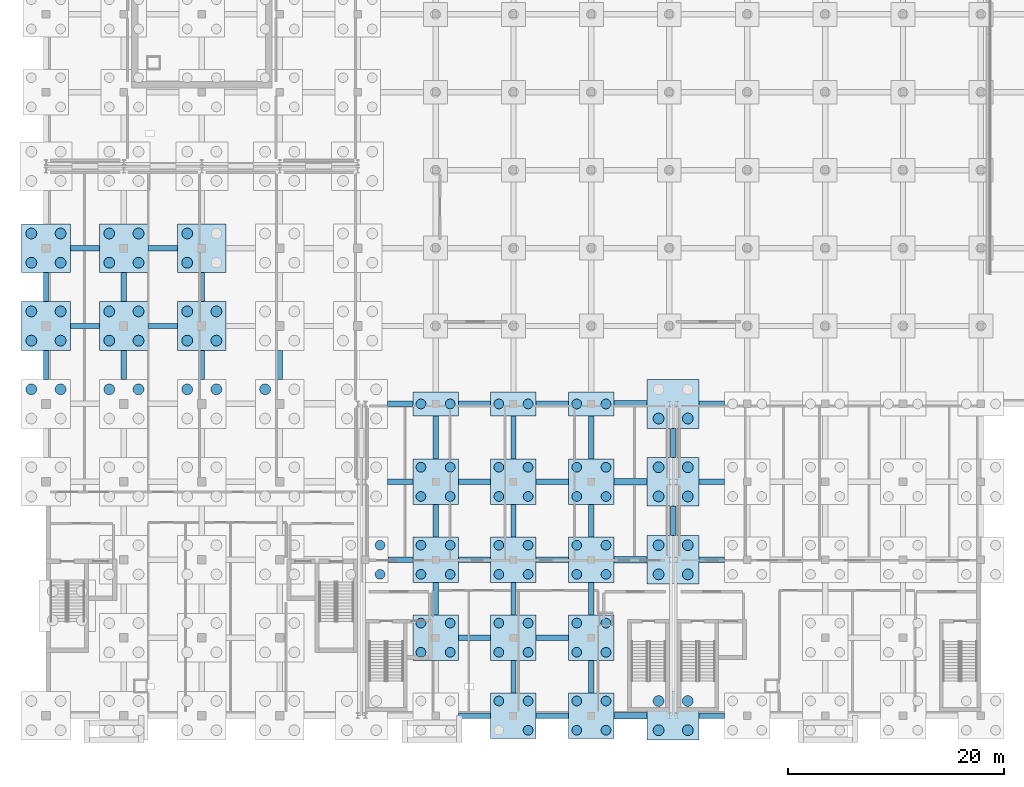
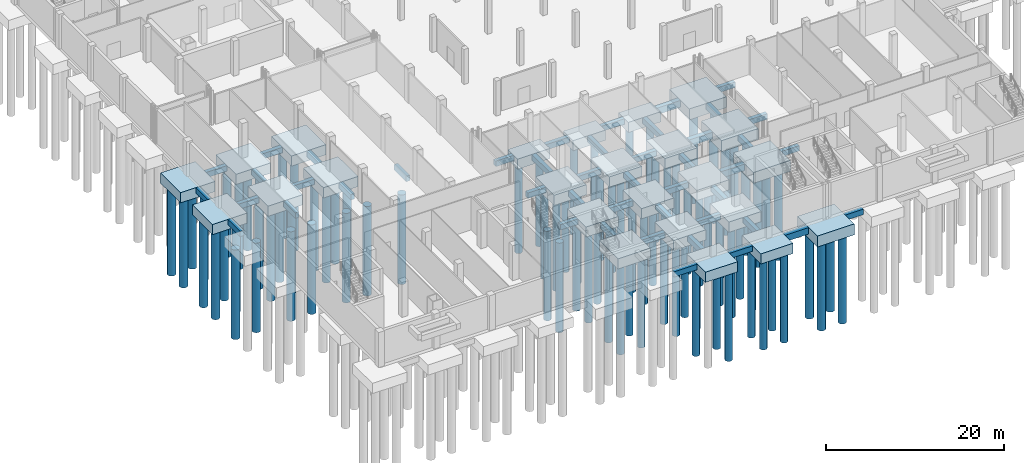
# One storey, part 2 of 35: 94 piles, 69 footings.
"""IFC4 building model written with IfcOpenShell, lengths in metres."""

from ifc_helpers import new_model, si_unit, direction, frame, origin, origin_2d, place, context, subcontext, project, spatial, rectangle, circle, extrude, material, material_profile, profile_set, type_object, element, save


model = new_model("IFC4")

# Units and contexts
model_context = context("Model", 3, precision=1e-05, world=origin(), true_north=direction((0.0, 1.0)))
body_context = subcontext(model_context, "Body", "Model", "MODEL_VIEW")
ifc_project = project(units=[si_unit("LENGTHUNIT", "METRE"), si_unit("AREAUNIT", "SQUARE_METRE"), si_unit("VOLUMEUNIT", "CUBIC_METRE"), si_unit("PLANEANGLEUNIT", "RADIAN"), si_unit("MASSUNIT", "GRAM", prefix="KILO")], contexts=[model_context])

# Site, building, storey
site_placement = place(None, origin())
site = spatial("IfcSite", under=ifc_project, at=site_placement, CompositionType="ELEMENT")
building_placement = place(site_placement, origin())
building = spatial("IfcBuilding", under=site, at=building_placement, Name="Zarrinpeak Specialist Clinic", CompositionType="ELEMENT")
storey_placement = place(building_placement, frame((0.0, 0.0, -4.800048828125)))
storey = spatial("IfcBuildingStorey", under=building, at=storey_placement, Name="B01", CompositionType="ELEMENT", Elevation=-4.800048828125)

# Footings
ifc_material = material(Name="Concrete C40/50", Category="concrete")
ifc_material_profile_1 = material_profile(ifc_material, rectangle(XDim=0.5, YDim=0.75, at=origin_2d()), Name="RC 500x750")
ifc_profile_set_1 = profile_set([ifc_material_profile_1], Name="Concrete C40/50")
footing_type_1 = type_object("IfcFootingType", Name="FT-GB1", PredefinedType="FOOTING_BEAM", material=ifc_profile_set_1)
for number, where, z_axis, x_axis, name in (
    (1, (38.10009765625, 0.0, -0.77490234375), (1.0, 0.0, 0.0), (0.0, 1.0, 0.0), "Continuous Ground Tie Beam GB-006"),
    (2, (45.300048828125, 0.0, -0.77490234375), (1.0, 0.0, 0.0), (0.0, 1.0, 0.0), "Continuous Ground Tie Beam GB-007"),
):
    element("IfcFooting", number, at=place(storey_placement, frame(where, z_axis=z_axis, x_axis=x_axis)), inside=storey, type_object=footing_type_1, Name=name, PredefinedType="FOOTING_BEAM", context=body_context, shape_type="SweptSolid", body=[
        extrude(rectangle(XDim=0.5, YDim=0.75, at=origin_2d()), origin(), (0.0, 0.0, 1.0), 3.0),
    ])
footing_1_placement = place(storey_placement, frame((60.360107421875, 0.0, -0.77490234375), z_axis=(1.0, 0.0, 0.0), x_axis=(0.0, 1.0, 0.0)))
element("IfcFooting", 3, at=footing_1_placement, inside=storey, type_object=footing_type_1, Name="Continuous Ground Tie Beam GB-009", PredefinedType="FOOTING_BEAM", context=body_context, shape_type="SweptSolid", body=[
    extrude(rectangle(XDim=0.5, YDim=0.75, at=origin_2d()), origin(), (0.0, 0.0, 1.0), 2.33984375),
])
for number, where, z_axis, x_axis, name in (
    (4, (38.10009765625, 7.199951171875, -0.77490234375), (1.0, 0.0, 0.0), (0.0, 1.0, 0.0), "Continuous Ground Tie Beam GB-015"),
    (5, (45.300048828125, 7.199951171875, -0.77490234375), (1.0, 0.0, 0.0), (0.0, 1.0, 0.0), "Continuous Ground Tie Beam GB-016"),
):
    element("IfcFooting", number, at=place(storey_placement, frame(where, z_axis=z_axis, x_axis=x_axis)), inside=storey, type_object=footing_type_1, Name=name, PredefinedType="FOOTING_BEAM", context=body_context, shape_type="SweptSolid", body=[
        extrude(rectangle(XDim=0.5, YDim=0.75, at=origin_2d()), origin(), (0.0, 0.0, 1.0), 3.0),
    ])
footing_2_placement = place(storey_placement, frame((31.6201171875, 14.39990234375, -0.77490234375), z_axis=(1.0, 0.0, 0.0), x_axis=(0.0, 1.0, 0.0)))
element("IfcFooting", 6, at=footing_2_placement, inside=storey, type_object=footing_type_1, Name="Continuous Ground Tie Beam GB-021", PredefinedType="FOOTING_BEAM", context=body_context, shape_type="SweptSolid", body=[
    extrude(rectangle(XDim=0.5, YDim=0.75, at=origin_2d()), origin(), (0.0, 0.0, 1.0), 2.27978515625),
])
for number, where, z_axis, x_axis, name in (
    (7, (38.10009765625, 14.39990234375, -0.77490234375), (1.0, 0.0, 0.0), (0.0, 1.0, 0.0), "Continuous Ground Tie Beam GB-022"),
    (8, (45.300048828125, 14.39990234375, -0.77490234375), (1.0, 0.0, 0.0), (0.0, 1.0, 0.0), "Continuous Ground Tie Beam GB-023"),
):
    element("IfcFooting", number, at=place(storey_placement, frame(where, z_axis=z_axis, x_axis=x_axis)), inside=storey, type_object=footing_type_1, Name=name, PredefinedType="FOOTING_BEAM", context=body_context, shape_type="SweptSolid", body=[
        extrude(rectangle(XDim=0.5, YDim=0.75, at=origin_2d()), origin(), (0.0, 0.0, 1.0), 3.0),
    ])
for number, where, z_axis, x_axis, name in (
    (9, (60.360107421875, 14.39990234375, -0.77490234375), (1.0, 0.0, 0.0), (0.0, 1.0, 0.0), "Continuous Ground Tie Beam GB-025"),
    (10, (31.56005859375, 21.60009765625, -0.77490234375), (1.0, 0.0, 0.0), (0.0, 1.0, 0.0), "Continuous Ground Tie Beam GB-033"),
):
    element("IfcFooting", number, at=place(storey_placement, frame(where, z_axis=z_axis, x_axis=x_axis)), inside=storey, type_object=footing_type_1, Name=name, PredefinedType="FOOTING_BEAM", context=body_context, shape_type="SweptSolid", body=[
        extrude(rectangle(XDim=0.5, YDim=0.75, at=origin_2d()), origin(), (0.0, 0.0, 1.0), 2.33984375),
    ])
for number, where, z_axis, x_axis, name in (
    (11, (38.10009765625, 21.60009765625, -0.77490234375), (1.0, 0.0, 0.0), (0.0, 1.0, 0.0), "Continuous Ground Tie Beam GB-034"),
    (12, (45.300048828125, 21.60009765625, -0.77490234375), (1.0, 0.0, 0.0), (0.0, 1.0, 0.0), "Continuous Ground Tie Beam GB-035"),
):
    element("IfcFooting", number, at=place(storey_placement, frame(where, z_axis=z_axis, x_axis=x_axis)), inside=storey, type_object=footing_type_1, Name=name, PredefinedType="FOOTING_BEAM", context=body_context, shape_type="SweptSolid", body=[
        extrude(rectangle(XDim=0.5, YDim=0.75, at=origin_2d()), origin(), (0.0, 0.0, 1.0), 3.0),
    ])
for number, where, z_axis, x_axis, name in (
    (13, (60.360107421875, 21.60009765625, -0.77490234375), (1.0, 0.0, 0.0), (0.0, 1.0, 0.0), "Continuous Ground Tie Beam GB-037"),
    (14, (31.56005859375, 28.800048828125, -0.77490234375), (1.0, 0.0, 0.0), (0.0, 1.0, 0.0), "Continuous Ground Tie Beam GB-045"),
):
    element("IfcFooting", number, at=place(storey_placement, frame(where, z_axis=z_axis, x_axis=x_axis)), inside=storey, type_object=footing_type_1, Name=name, PredefinedType="FOOTING_BEAM", context=body_context, shape_type="SweptSolid", body=[
        extrude(rectangle(XDim=0.5, YDim=0.75, at=origin_2d()), origin(), (0.0, 0.0, 1.0), 2.33984375),
    ])
for number, where, z_axis, x_axis, name in (
    (15, (38.10009765625, 28.800048828125, -0.77490234375), (1.0, 0.0, 0.0), (0.0, 1.0, 0.0), "Continuous Ground Tie Beam GB-046"),
    (16, (45.300048828125, 28.800048828125, -0.77490234375), (1.0, 0.0, 0.0), (0.0, 1.0, 0.0), "Continuous Ground Tie Beam GB-047"),
):
    element("IfcFooting", number, at=place(storey_placement, frame(where, z_axis=z_axis, x_axis=x_axis)), inside=storey, type_object=footing_type_1, Name=name, PredefinedType="FOOTING_BEAM", context=body_context, shape_type="SweptSolid", body=[
        extrude(rectangle(XDim=0.5, YDim=0.75, at=origin_2d()), origin(), (0.0, 0.0, 1.0), 3.0),
    ])
footing_3_placement = place(storey_placement, frame((60.360107421875, 28.800048828125, -0.77490234375), z_axis=(1.0, 0.0, 0.0), x_axis=(0.0, 1.0, 0.0)))
element("IfcFooting", 17, at=footing_3_placement, inside=storey, type_object=footing_type_1, Name="Continuous Ground Tie Beam GB-049", PredefinedType="FOOTING_BEAM", context=body_context, shape_type="SweptSolid", body=[
    extrude(rectangle(XDim=0.5, YDim=0.75, at=origin_2d()), origin(), (0.0, 0.0, 1.0), 2.33984375),
])
for number, where, z_axis, x_axis, name in (
    (18, (2.25, 36.0, -0.77490234375), (1.0, 0.0, 0.0), (0.0, 1.0, 0.0), "Continuous Ground Tie Beam GB-058"),
    (19, (9.449951171875, 36.0, -0.77490234375), (1.0, 0.0, 0.0), (0.0, 1.0, 0.0), "Continuous Ground Tie Beam GB-059"),
    (20, (2.25, 43.199951171875, -0.77490234375), (1.0, 0.0, 0.0), (0.0, 1.0, 0.0), "Continuous Ground Tie Beam GB-080"),
    (21, (9.449951171875, 43.199951171875, -0.77490234375), (1.0, 0.0, 0.0), (0.0, 1.0, 0.0), "Continuous Ground Tie Beam GB-081"),
    (22, (0.0, 31.050048828125, -0.77490234375), (0.0, 1.0, 0.0), (-1.0, 0.0, 0.0), "Continuous Ground Tie Beam GB-209"),
    (23, (0.0, 38.25, -0.77490234375), (0.0, 1.0, 0.0), (-1.0, 0.0, 0.0), "Continuous Ground Tie Beam GB-210"),
    (24, (7.199951171875, 31.050048828125, -0.77490234375), (0.0, 1.0, 0.0), (-1.0, 0.0, 0.0), "Continuous Ground Tie Beam GB-219"),
    (25, (7.199951171875, 38.25, -0.77490234375), (0.0, 1.0, 0.0), (-1.0, 0.0, 0.0), "Continuous Ground Tie Beam GB-220"),
    (26, (14.39990234375, 31.050048828125, -0.77490234375), (0.0, 1.0, 0.0), (-1.0, 0.0, 0.0), "Continuous Ground Tie Beam GB-230"),
    (27, (14.39990234375, 38.25, -0.77490234375), (0.0, 1.0, 0.0), (-1.0, 0.0, 0.0), "Continuous Ground Tie Beam GB-231"),
    (28, (21.60009765625, 31.050048828125, -0.77490234375), (0.0, 1.0, 0.0), (-1.0, 0.0, 0.0), "Continuous Ground Tie Beam GB-241"),
):
    element("IfcFooting", number, at=place(storey_placement, frame(where, z_axis=z_axis, x_axis=x_axis)), inside=storey, type_object=footing_type_1, Name=name, PredefinedType="FOOTING_BEAM", context=body_context, shape_type="SweptSolid", body=[
        extrude(rectangle(XDim=0.5, YDim=0.75, at=origin_2d()), origin(), (0.0, 0.0, 1.0), 2.699951171875),
    ])
for number, where, z_axis, x_axis, name in (
    (29, (36.0, 9.300048828125, -0.77490234375), (0.0, 1.0, 0.0), (-1.0, 0.0, 0.0), "Continuous Ground Tie Beam GB-255"),
    (30, (36.0, 16.5, -0.77490234375), (0.0, 1.0, 0.0), (-1.0, 0.0, 0.0), "Continuous Ground Tie Beam GB-256"),
):
    element("IfcFooting", number, at=place(storey_placement, frame(where, z_axis=z_axis, x_axis=x_axis)), inside=storey, type_object=footing_type_1, Name=name, PredefinedType="FOOTING_BEAM", context=body_context, shape_type="SweptSolid", body=[
        extrude(rectangle(XDim=0.5, YDim=0.75, at=origin_2d()), origin(), (0.0, 0.0, 1.0), 3.0),
    ])
footing_4_placement = place(storey_placement, frame((36.0, 23.699951171875, -0.77490234375), z_axis=(0.0, 1.0, 0.0), x_axis=(-1.0, 0.0, 0.0)))
element("IfcFooting", 31, at=footing_4_placement, inside=storey, type_object=footing_type_1, Name="Continuous Ground Tie Beam GB-257", PredefinedType="FOOTING_BEAM", context=body_context, shape_type="SweptSolid", body=[
    extrude(rectangle(XDim=0.5, YDim=0.75, at=origin_2d()), origin(), (0.0, 0.0, 1.0), 4.0),
])
for number, where, z_axis, x_axis, name in (
    (32, (43.199951171875, 2.10009765625, -0.77490234375), (0.0, 1.0, 0.0), (-1.0, 0.0, 0.0), "Continuous Ground Tie Beam GB-268"),
    (33, (43.199951171875, 9.300048828125, -0.77490234375), (0.0, 1.0, 0.0), (-1.0, 0.0, 0.0), "Continuous Ground Tie Beam GB-269"),
    (34, (43.199951171875, 16.5, -0.77490234375), (0.0, 1.0, 0.0), (-1.0, 0.0, 0.0), "Continuous Ground Tie Beam GB-270"),
):
    element("IfcFooting", number, at=place(storey_placement, frame(where, z_axis=z_axis, x_axis=x_axis)), inside=storey, type_object=footing_type_1, Name=name, PredefinedType="FOOTING_BEAM", context=body_context, shape_type="SweptSolid", body=[
        extrude(rectangle(XDim=0.5, YDim=0.75, at=origin_2d()), origin(), (0.0, 0.0, 1.0), 3.0),
    ])
footing_5_placement = place(storey_placement, frame((43.199951171875, 23.699951171875, -0.77490234375), z_axis=(0.0, 1.0, 0.0), x_axis=(-1.0, 0.0, 0.0)))
element("IfcFooting", 35, at=footing_5_placement, inside=storey, type_object=footing_type_1, Name="Continuous Ground Tie Beam GB-271", PredefinedType="FOOTING_BEAM", context=body_context, shape_type="SweptSolid", body=[
    extrude(rectangle(XDim=0.5, YDim=0.75, at=origin_2d()), origin(), (0.0, 0.0, 1.0), 4.0),
])
for number, where, z_axis, x_axis, name in (
    (36, (50.39990234375, 2.10009765625, -0.77490234375), (0.0, 1.0, 0.0), (-1.0, 0.0, 0.0), "Continuous Ground Tie Beam GB-284"),
    (37, (50.39990234375, 9.300048828125, -0.77490234375), (0.0, 1.0, 0.0), (-1.0, 0.0, 0.0), "Continuous Ground Tie Beam GB-285"),
    (38, (50.39990234375, 16.5, -0.77490234375), (0.0, 1.0, 0.0), (-1.0, 0.0, 0.0), "Continuous Ground Tie Beam GB-286"),
):
    element("IfcFooting", number, at=place(storey_placement, frame(where, z_axis=z_axis, x_axis=x_axis)), inside=storey, type_object=footing_type_1, Name=name, PredefinedType="FOOTING_BEAM", context=body_context, shape_type="SweptSolid", body=[
        extrude(rectangle(XDim=0.5, YDim=0.75, at=origin_2d()), origin(), (0.0, 0.0, 1.0), 3.0),
    ])
footing_6_placement = place(storey_placement, frame((50.39990234375, 23.699951171875, -0.77490234375), z_axis=(0.0, 1.0, 0.0), x_axis=(-1.0, 0.0, 0.0)))
element("IfcFooting", 39, at=footing_6_placement, inside=storey, type_object=footing_type_1, Name="Continuous Ground Tie Beam GB-287", PredefinedType="FOOTING_BEAM", context=body_context, shape_type="SweptSolid", body=[
    extrude(rectangle(XDim=0.5, YDim=0.75, at=origin_2d()), origin(), (0.0, 0.0, 1.0), 4.0),
])
footing_7_placement = place(storey_placement, frame((57.9599609375, 16.64990234375, -0.77490234375), z_axis=(0.0, 1.0, 0.0), x_axis=(-1.0, 0.0, 0.0)))
element("IfcFooting", 40, at=footing_7_placement, inside=storey, type_object=footing_type_1, Name="Continuous Ground Tie Beam GB-311", PredefinedType="FOOTING_BEAM", context=body_context, shape_type="SweptSolid", body=[
    extrude(rectangle(XDim=0.5, YDim=0.75, at=origin_2d()), origin(), (0.0, 0.0, 1.0), 2.7001953125),
])
footing_8_placement = place(storey_placement, frame((57.9599609375, 23.85009765625, -0.77490234375), z_axis=(0.0, 1.0, 0.0), x_axis=(-1.0, 0.0, 0.0)))
element("IfcFooting", 41, at=footing_8_placement, inside=storey, type_object=footing_type_1, Name="Continuous Ground Tie Beam GB-312", PredefinedType="FOOTING_BEAM", context=body_context, shape_type="SweptSolid", body=[
    extrude(rectangle(XDim=0.5, YDim=0.75, at=origin_2d()), origin(), (0.0, 0.0, 1.0), 2.699951171875),
])
ifc_material_profile_2 = material_profile(ifc_material, rectangle(XDim=0.60009765625, YDim=0.89990234375, at=origin_2d()), Name="RC 600x900")
ifc_profile_set_2 = profile_set([ifc_material_profile_2], Name="Concrete C40/50")
footing_type_2 = type_object("IfcFootingType", Name="FT-GB2", PredefinedType="FOOTING_BEAM", material=ifc_profile_set_2)
for number, where, z_axis, x_axis, name in (
    (42, (52.5, 0.0, -0.849853515625), (1.0, 0.0, 0.0), (0.0, 1.0, 0.0), "Continuous Ground Tie Beam GB-008"),
    (43, (52.5, 14.39990234375, -0.849853515625), (1.0, 0.0, 0.0), (0.0, 1.0, 0.0), "Continuous Ground Tie Beam GB-024"),
    (44, (52.5, 21.60009765625, -0.849853515625), (1.0, 0.0, 0.0), (0.0, 1.0, 0.0), "Continuous Ground Tie Beam GB-036"),
    (45, (52.5, 28.800048828125, -0.849853515625), (1.0, 0.0, 0.0), (0.0, 1.0, 0.0), "Continuous Ground Tie Beam GB-048"),
):
    element("IfcFooting", number, at=place(storey_placement, frame(where, z_axis=z_axis, x_axis=x_axis)), inside=storey, type_object=footing_type_2, Name=name, PredefinedType="FOOTING_BEAM", context=body_context, shape_type="SweptSolid", body=[
        extrude(rectangle(XDim=0.60009765625, YDim=0.89990234375, at=origin_2d()), origin(), (0.0, 0.0, 1.0), 3.06005859375),
    ])
footing_type_3 = type_object("IfcFootingType", Name="FT-PC2", PredefinedType="PILE_CAP", material=ifc_material)
for number, where, z_axis, x_axis, name in (
    (46, (36.0, 28.800048828125, -1.7998046875), (0.0, 0.0, 1.0), (1.0, 0.0, 0.0), "Combined Pile Cap CAP-062 (V2)"),
    (47, (43.199951171875, 28.800048828125, -1.7998046875), (0.0, 0.0, 1.0), (1.0, 0.0, 0.0), "Combined Pile Cap CAP-079 (V2)"),
    (48, (50.39990234375, 28.800048828125, -1.7998046875), (0.0, 0.0, 1.0), (1.0, 0.0, 0.0), "Combined Pile Cap CAP-097 (V2)"),
):
    element("IfcFooting", number, at=place(storey_placement, frame(where, z_axis=z_axis, x_axis=x_axis)), inside=storey, type_object=footing_type_3, Name=name, PredefinedType="PILE_CAP", context=body_context, shape_type="SweptSolid", body=[
        extrude(rectangle(XDim=4.199951171875, YDim=2.199951171875, at=origin_2d()), origin(), (0.0, 0.0, 1.0), 1.39990234375),
    ])
footing_type_4 = type_object("IfcFootingType", Name="FT-PC3", PredefinedType="PILE_CAP", material=ifc_material)
for number, where, z_axis, x_axis, name in (
    (49, (36.0, 7.199951171875, -1.7998046875), (0.0, 0.0, 1.0), (1.0, 0.0, 0.0), "Combined Pile Cap CAP-059 (V2)"),
    (50, (36.0, 14.39990234375, -1.7998046875), (0.0, 0.0, 1.0), (1.0, 0.0, 0.0), "Combined Pile Cap CAP-060 (V2)"),
    (51, (36.0, 21.60009765625, -1.7998046875), (0.0, 0.0, 1.0), (1.0, 0.0, 0.0), "Combined Pile Cap CAP-061 (V2)"),
    (52, (43.199951171875, 0.0, -1.7998046875), (0.0, 0.0, 1.0), (1.0, 0.0, 0.0), "Combined Pile Cap CAP-075 (V2)"),
    (53, (43.199951171875, 7.199951171875, -1.7998046875), (0.0, 0.0, 1.0), (1.0, 0.0, 0.0), "Combined Pile Cap CAP-076 (V2)"),
    (54, (43.199951171875, 14.39990234375, -1.7998046875), (0.0, 0.0, 1.0), (1.0, 0.0, 0.0), "Combined Pile Cap CAP-077 (V2)"),
    (55, (43.199951171875, 21.60009765625, -1.7998046875), (0.0, 0.0, 1.0), (1.0, 0.0, 0.0), "Combined Pile Cap CAP-078 (V2)"),
    (56, (50.39990234375, 0.0, -1.7998046875), (0.0, 0.0, 1.0), (1.0, 0.0, 0.0), "Combined Pile Cap CAP-093 (V2)"),
    (57, (50.39990234375, 7.199951171875, -1.7998046875), (0.0, 0.0, 1.0), (1.0, 0.0, 0.0), "Combined Pile Cap CAP-094 (V2)"),
    (58, (50.39990234375, 14.39990234375, -1.7998046875), (0.0, 0.0, 1.0), (1.0, 0.0, 0.0), "Combined Pile Cap CAP-095 (V2)"),
    (59, (50.39990234375, 21.60009765625, -1.7998046875), (0.0, 0.0, 1.0), (1.0, 0.0, 0.0), "Combined Pile Cap CAP-096 (V2)"),
):
    element("IfcFooting", number, at=place(storey_placement, frame(where, z_axis=z_axis, x_axis=x_axis)), inside=storey, type_object=footing_type_4, Name=name, PredefinedType="PILE_CAP", context=body_context, shape_type="SweptSolid", body=[
        extrude(rectangle(XDim=4.199951171875, YDim=4.199951171875, at=origin_2d()), origin(), (0.0, 0.0, 1.0), 1.39990234375),
    ])
footing_type_5 = type_object("IfcFootingType", Name="FT-PC4", PredefinedType="PILE_CAP", material=ifc_material)
for number, where, z_axis, x_axis, name in (
    (60, (0.0, 36.0, -1.7998046875), (0.0, 0.0, 1.0), (1.0, 0.0, 0.0), "Combined Pile Cap CAP-004 (V1)"),
    (61, (0.0, 43.199951171875, -1.7998046875), (0.0, 0.0, 1.0), (1.0, 0.0, 0.0), "Combined Pile Cap CAP-005 (V1)"),
    (62, (7.199951171875, 36.0, -1.7998046875), (0.0, 0.0, 1.0), (1.0, 0.0, 0.0), "Combined Pile Cap CAP-016 (V1)"),
    (63, (7.199951171875, 43.199951171875, -1.7998046875), (0.0, 0.0, 1.0), (1.0, 0.0, 0.0), "Combined Pile Cap CAP-017 (V1)"),
    (64, (14.39990234375, 36.0, -1.7998046875), (0.0, 0.0, 1.0), (1.0, 0.0, 0.0), "Combined Pile Cap CAP-028 (V1)"),
    (65, (14.39990234375, 43.199951171875, -1.7998046875), (0.0, 0.0, 1.0), (1.0, 0.0, 0.0), "Combined Pile Cap CAP-029 (V1)"),
):
    element("IfcFooting", number, at=place(storey_placement, frame(where, z_axis=z_axis, x_axis=x_axis)), inside=storey, type_object=footing_type_5, Name=name, PredefinedType="PILE_CAP", context=body_context, shape_type="SweptSolid", body=[
        extrude(rectangle(XDim=4.5, YDim=4.5, at=origin_2d()), origin(), (0.0, 0.0, 1.0), 1.39990234375),
    ])
footing_type_6 = type_object("IfcFootingType", Name="FT-PC5", PredefinedType="PILE_CAP", material=ifc_material)
for number, where, z_axis, x_axis, name in (
    (66, (57.9599609375, 0.0, -1.89990234375), (0.0, 0.0, 1.0), (1.0, 0.0, 0.0), "Combined Pile Cap CAP-111 (V2)"),
    (67, (57.9599609375, 14.39990234375, -1.89990234375), (0.0, 0.0, 1.0), (1.0, 0.0, 0.0), "Combined Pile Cap CAP-112 (V2)"),
    (68, (57.9599609375, 21.60009765625, -1.89990234375), (0.0, 0.0, 1.0), (1.0, 0.0, 0.0), "Combined Pile Cap CAP-113 (V2)"),
    (69, (57.9599609375, 28.800048828125, -1.89990234375), (0.0, 0.0, 1.0), (1.0, 0.0, 0.0), "Combined Pile Cap CAP-114 (V2)"),
):
    element("IfcFooting", number, at=place(storey_placement, frame(where, z_axis=z_axis, x_axis=x_axis)), inside=storey, type_object=footing_type_6, Name=name, PredefinedType="PILE_CAP", context=body_context, shape_type="SweptSolid", body=[
        extrude(rectangle(XDim=4.800048828125, YDim=4.5, at=origin_2d()), origin(), (0.0, 0.0, 1.0), 1.5),
    ])

# Piles
ifc_material_profile_3 = material_profile(ifc_material, circle(Radius=0.5, at=origin_2d()), Name="BORED PILE D1000")
ifc_profile_set_3 = profile_set([ifc_material_profile_3], Name="Concrete C40/50")
pile_type_1 = type_object("IfcPileType", Name="PL-D1000", PredefinedType="BORED", material=ifc_profile_set_3)
for number, where, z_axis, x_axis, name in (
    (70, (-1.35009765625, 30.14990234375, -1.699951171875), (0.0, 0.0, -1.0), (1.0, 0.0, 0.0), "Bored Foundation Pile FP-003-3"),
    (71, (1.35009765625, 30.14990234375, -1.699951171875), (0.0, 0.0, -1.0), (1.0, 0.0, 0.0), "Bored Foundation Pile FP-003-4"),
    (72, (-1.35009765625, 34.64990234375, -1.699951171875), (0.0, 0.0, -1.0), (1.0, 0.0, 0.0), "Bored Foundation Pile FP-004-1"),
    (73, (1.35009765625, 34.64990234375, -1.699951171875), (0.0, 0.0, -1.0), (1.0, 0.0, 0.0), "Bored Foundation Pile FP-004-2"),
    (74, (-1.35009765625, 37.35009765625, -1.699951171875), (0.0, 0.0, -1.0), (1.0, 0.0, 0.0), "Bored Foundation Pile FP-004-3"),
    (75, (1.35009765625, 37.35009765625, -1.699951171875), (0.0, 0.0, -1.0), (1.0, 0.0, 0.0), "Bored Foundation Pile FP-004-4"),
    (76, (-1.35009765625, 41.85009765625, -1.699951171875), (0.0, 0.0, -1.0), (1.0, 0.0, 0.0), "Bored Foundation Pile FP-005-1"),
    (77, (1.35009765625, 41.85009765625, -1.699951171875), (0.0, 0.0, -1.0), (1.0, 0.0, 0.0), "Bored Foundation Pile FP-005-2"),
    (78, (-1.35009765625, 44.550048828125, -1.699951171875), (0.0, 0.0, -1.0), (1.0, 0.0, 0.0), "Bored Foundation Pile FP-005-3"),
    (79, (1.35009765625, 44.550048828125, -1.699951171875), (0.0, 0.0, -1.0), (1.0, 0.0, 0.0), "Bored Foundation Pile FP-005-4"),
    (80, (5.85009765625, 30.14990234375, -1.699951171875), (0.0, 0.0, -1.0), (1.0, 0.0, 0.0), "Bored Foundation Pile FP-015-3"),
    (81, (8.550048828125, 30.14990234375, -1.699951171875), (0.0, 0.0, -1.0), (1.0, 0.0, 0.0), "Bored Foundation Pile FP-015-4"),
    (82, (5.85009765625, 34.64990234375, -1.699951171875), (0.0, 0.0, -1.0), (1.0, 0.0, 0.0), "Bored Foundation Pile FP-016-1"),
    (83, (8.550048828125, 34.64990234375, -1.699951171875), (0.0, 0.0, -1.0), (1.0, 0.0, 0.0), "Bored Foundation Pile FP-016-2"),
    (84, (5.85009765625, 37.35009765625, -1.699951171875), (0.0, 0.0, -1.0), (1.0, 0.0, 0.0), "Bored Foundation Pile FP-016-3"),
    (85, (8.550048828125, 37.35009765625, -1.699951171875), (0.0, 0.0, -1.0), (1.0, 0.0, 0.0), "Bored Foundation Pile FP-016-4"),
    (86, (5.85009765625, 41.85009765625, -1.699951171875), (0.0, 0.0, -1.0), (1.0, 0.0, 0.0), "Bored Foundation Pile FP-017-1"),
    (87, (8.550048828125, 41.85009765625, -1.699951171875), (0.0, 0.0, -1.0), (1.0, 0.0, 0.0), "Bored Foundation Pile FP-017-2"),
    (88, (5.85009765625, 44.550048828125, -1.699951171875), (0.0, 0.0, -1.0), (1.0, 0.0, 0.0), "Bored Foundation Pile FP-017-3"),
    (89, (8.550048828125, 44.550048828125, -1.699951171875), (0.0, 0.0, -1.0), (1.0, 0.0, 0.0), "Bored Foundation Pile FP-017-4"),
    (90, (13.050048828125, 30.14990234375, -1.699951171875), (0.0, 0.0, -1.0), (1.0, 0.0, 0.0), "Bored Foundation Pile FP-027-3"),
    (91, (15.75, 30.14990234375, -1.699951171875), (0.0, 0.0, -1.0), (1.0, 0.0, 0.0), "Bored Foundation Pile FP-027-4"),
    (92, (13.050048828125, 34.64990234375, -1.699951171875), (0.0, 0.0, -1.0), (1.0, 0.0, 0.0), "Bored Foundation Pile FP-028-1"),
    (93, (15.75, 34.64990234375, -1.699951171875), (0.0, 0.0, -1.0), (1.0, 0.0, 0.0), "Bored Foundation Pile FP-028-2"),
    (94, (13.050048828125, 37.35009765625, -1.699951171875), (0.0, 0.0, -1.0), (1.0, 0.0, 0.0), "Bored Foundation Pile FP-028-3"),
    (95, (15.75, 37.35009765625, -1.699951171875), (0.0, 0.0, -1.0), (1.0, 0.0, 0.0), "Bored Foundation Pile FP-028-4"),
    (96, (13.050048828125, 41.85009765625, -1.699951171875), (0.0, 0.0, -1.0), (1.0, 0.0, 0.0), "Bored Foundation Pile FP-029-1"),
    (97, (13.050048828125, 44.550048828125, -1.699951171875), (0.0, 0.0, -1.0), (1.0, 0.0, 0.0), "Bored Foundation Pile FP-029-3"),
    (98, (20.25, 30.14990234375, -1.699951171875), (0.0, 0.0, -1.0), (1.0, 0.0, 0.0), "Bored Foundation Pile FP-039-3"),
):
    element("IfcPile", number, at=place(storey_placement, frame(where, z_axis=z_axis, x_axis=x_axis)), inside=storey, type_object=pile_type_1, Name=name, PredefinedType="BORED", context=body_context, shape_type="SweptSolid", body=[
        extrude(circle(Radius=0.5, at=origin_2d()), origin(), (0.0, 0.0, 1.0), 12.300048828125),
    ])
for number, where, z_axis, x_axis, name in (
    (99, (56.610107421875, -1.35009765625, -1.800048828125), (0.0, 0.0, -1.0), (1.0, 0.0, 0.0), "Bored Foundation Pile FP-111-1"),
    (100, (59.31005859375, -1.35009765625, -1.800048828125), (0.0, 0.0, -1.0), (1.0, 0.0, 0.0), "Bored Foundation Pile FP-111-2"),
    (101, (56.610107421875, 1.35009765625, -1.800048828125), (0.0, 0.0, -1.0), (1.0, 0.0, 0.0), "Bored Foundation Pile FP-111-3"),
    (102, (59.31005859375, 1.35009765625, -1.800048828125), (0.0, 0.0, -1.0), (1.0, 0.0, 0.0), "Bored Foundation Pile FP-111-4"),
    (103, (56.610107421875, 13.050048828125, -1.800048828125), (0.0, 0.0, -1.0), (1.0, 0.0, 0.0), "Bored Foundation Pile FP-112-1"),
    (104, (59.31005859375, 13.050048828125, -1.800048828125), (0.0, 0.0, -1.0), (1.0, 0.0, 0.0), "Bored Foundation Pile FP-112-2"),
    (105, (56.610107421875, 15.75, -1.800048828125), (0.0, 0.0, -1.0), (1.0, 0.0, 0.0), "Bored Foundation Pile FP-112-3"),
    (106, (59.31005859375, 15.75, -1.800048828125), (0.0, 0.0, -1.0), (1.0, 0.0, 0.0), "Bored Foundation Pile FP-112-4"),
    (107, (56.610107421875, 20.25, -1.800048828125), (0.0, 0.0, -1.0), (1.0, 0.0, 0.0), "Bored Foundation Pile FP-113-1"),
    (108, (59.31005859375, 20.25, -1.800048828125), (0.0, 0.0, -1.0), (1.0, 0.0, 0.0), "Bored Foundation Pile FP-113-2"),
    (109, (56.610107421875, 22.949951171875, -1.800048828125), (0.0, 0.0, -1.0), (1.0, 0.0, 0.0), "Bored Foundation Pile FP-113-3"),
    (110, (59.31005859375, 22.949951171875, -1.800048828125), (0.0, 0.0, -1.0), (1.0, 0.0, 0.0), "Bored Foundation Pile FP-113-4"),
    (111, (56.610107421875, 27.449951171875, -1.800048828125), (0.0, 0.0, -1.0), (1.0, 0.0, 0.0), "Bored Foundation Pile FP-114-1"),
    (112, (59.31005859375, 27.449951171875, -1.800048828125), (0.0, 0.0, -1.0), (1.0, 0.0, 0.0), "Bored Foundation Pile FP-114-2"),
):
    element("IfcPile", number, at=place(storey_placement, frame(where, z_axis=z_axis, x_axis=x_axis)), inside=storey, type_object=pile_type_1, Name=name, PredefinedType="BORED", context=body_context, shape_type="SweptSolid", body=[
        extrude(circle(Radius=0.5, at=origin_2d()), origin(), (0.0, 0.0, 1.0), 12.199951171875),
    ])
ifc_material_profile_4 = material_profile(ifc_material, circle(Radius=0.449951171875, at=origin_2d()), Name="BORED PILE D900")
ifc_profile_set_4 = profile_set([ifc_material_profile_4], Name="Concrete C40/50")
pile_type_2 = type_object("IfcPileType", Name="PL-D900", PredefinedType="BORED", material=ifc_profile_set_4)
for number, where, z_axis, x_axis, name in (
    (113, (30.8701171875, 13.050048828125, -1.699951171875), (0.0, 0.0, -1.0), (1.0, 0.0, 0.0), "Bored Foundation Pile FP-057-2"),
    (114, (30.8701171875, 15.75, -1.699951171875), (0.0, 0.0, -1.0), (1.0, 0.0, 0.0), "Bored Foundation Pile FP-057-4"),
    (115, (34.64990234375, 5.85009765625, -1.699951171875), (0.0, 0.0, -1.0), (1.0, 0.0, 0.0), "Bored Foundation Pile FP-059-1"),
    (116, (37.35009765625, 5.85009765625, -1.699951171875), (0.0, 0.0, -1.0), (1.0, 0.0, 0.0), "Bored Foundation Pile FP-059-2"),
    (117, (34.64990234375, 8.550048828125, -1.699951171875), (0.0, 0.0, -1.0), (1.0, 0.0, 0.0), "Bored Foundation Pile FP-059-3"),
    (118, (37.35009765625, 8.550048828125, -1.699951171875), (0.0, 0.0, -1.0), (1.0, 0.0, 0.0), "Bored Foundation Pile FP-059-4"),
    (119, (34.64990234375, 13.050048828125, -1.699951171875), (0.0, 0.0, -1.0), (1.0, 0.0, 0.0), "Bored Foundation Pile FP-060-1"),
    (120, (37.35009765625, 13.050048828125, -1.699951171875), (0.0, 0.0, -1.0), (1.0, 0.0, 0.0), "Bored Foundation Pile FP-060-2"),
    (121, (34.64990234375, 15.75, -1.699951171875), (0.0, 0.0, -1.0), (1.0, 0.0, 0.0), "Bored Foundation Pile FP-060-3"),
    (122, (37.35009765625, 15.75, -1.699951171875), (0.0, 0.0, -1.0), (1.0, 0.0, 0.0), "Bored Foundation Pile FP-060-4"),
    (123, (34.64990234375, 20.25, -1.699951171875), (0.0, 0.0, -1.0), (1.0, 0.0, 0.0), "Bored Foundation Pile FP-061-1"),
    (124, (37.35009765625, 20.25, -1.699951171875), (0.0, 0.0, -1.0), (1.0, 0.0, 0.0), "Bored Foundation Pile FP-061-2"),
    (125, (34.64990234375, 22.949951171875, -1.699951171875), (0.0, 0.0, -1.0), (1.0, 0.0, 0.0), "Bored Foundation Pile FP-061-3"),
    (126, (37.35009765625, 22.949951171875, -1.699951171875), (0.0, 0.0, -1.0), (1.0, 0.0, 0.0), "Bored Foundation Pile FP-061-4"),
    (127, (34.64990234375, 28.800048828125, -1.699951171875), (0.0, 0.0, -1.0), (1.0, 0.0, 0.0), "Bored Foundation Pile FP-062-1"),
    (128, (37.35009765625, 28.800048828125, -1.699951171875), (0.0, 0.0, -1.0), (1.0, 0.0, 0.0), "Bored Foundation Pile FP-062-2"),
    (129, (44.550048828125, -1.35009765625, -1.699951171875), (0.0, 0.0, -1.0), (1.0, 0.0, 0.0), "Bored Foundation Pile FP-075-2"),
    (130, (41.85009765625, 1.35009765625, -1.699951171875), (0.0, 0.0, -1.0), (1.0, 0.0, 0.0), "Bored Foundation Pile FP-075-3"),
    (131, (44.550048828125, 1.35009765625, -1.699951171875), (0.0, 0.0, -1.0), (1.0, 0.0, 0.0), "Bored Foundation Pile FP-075-4"),
    (132, (41.85009765625, 5.85009765625, -1.699951171875), (0.0, 0.0, -1.0), (1.0, 0.0, 0.0), "Bored Foundation Pile FP-076-1"),
    (133, (44.550048828125, 5.85009765625, -1.699951171875), (0.0, 0.0, -1.0), (1.0, 0.0, 0.0), "Bored Foundation Pile FP-076-2"),
    (134, (41.85009765625, 8.550048828125, -1.699951171875), (0.0, 0.0, -1.0), (1.0, 0.0, 0.0), "Bored Foundation Pile FP-076-3"),
    (135, (44.550048828125, 8.550048828125, -1.699951171875), (0.0, 0.0, -1.0), (1.0, 0.0, 0.0), "Bored Foundation Pile FP-076-4"),
    (136, (41.85009765625, 13.050048828125, -1.699951171875), (0.0, 0.0, -1.0), (1.0, 0.0, 0.0), "Bored Foundation Pile FP-077-1"),
    (137, (44.550048828125, 13.050048828125, -1.699951171875), (0.0, 0.0, -1.0), (1.0, 0.0, 0.0), "Bored Foundation Pile FP-077-2"),
    (138, (41.85009765625, 15.75, -1.699951171875), (0.0, 0.0, -1.0), (1.0, 0.0, 0.0), "Bored Foundation Pile FP-077-3"),
    (139, (44.550048828125, 15.75, -1.699951171875), (0.0, 0.0, -1.0), (1.0, 0.0, 0.0), "Bored Foundation Pile FP-077-4"),
    (140, (41.85009765625, 20.25, -1.699951171875), (0.0, 0.0, -1.0), (1.0, 0.0, 0.0), "Bored Foundation Pile FP-078-1"),
    (141, (44.550048828125, 20.25, -1.699951171875), (0.0, 0.0, -1.0), (1.0, 0.0, 0.0), "Bored Foundation Pile FP-078-2"),
    (142, (41.85009765625, 22.949951171875, -1.699951171875), (0.0, 0.0, -1.0), (1.0, 0.0, 0.0), "Bored Foundation Pile FP-078-3"),
    (143, (44.550048828125, 22.949951171875, -1.699951171875), (0.0, 0.0, -1.0), (1.0, 0.0, 0.0), "Bored Foundation Pile FP-078-4"),
    (144, (41.85009765625, 28.800048828125, -1.699951171875), (0.0, 0.0, -1.0), (1.0, 0.0, 0.0), "Bored Foundation Pile FP-079-1"),
    (145, (44.550048828125, 28.800048828125, -1.699951171875), (0.0, 0.0, -1.0), (1.0, 0.0, 0.0), "Bored Foundation Pile FP-079-2"),
    (146, (49.050048828125, -1.35009765625, -1.699951171875), (0.0, 0.0, -1.0), (1.0, 0.0, 0.0), "Bored Foundation Pile FP-093-1"),
    (147, (51.75, -1.35009765625, -1.699951171875), (0.0, 0.0, -1.0), (1.0, 0.0, 0.0), "Bored Foundation Pile FP-093-2"),
    (148, (49.050048828125, 1.35009765625, -1.699951171875), (0.0, 0.0, -1.0), (1.0, 0.0, 0.0), "Bored Foundation Pile FP-093-3"),
    (149, (51.75, 1.35009765625, -1.699951171875), (0.0, 0.0, -1.0), (1.0, 0.0, 0.0), "Bored Foundation Pile FP-093-4"),
    (150, (49.050048828125, 5.85009765625, -1.699951171875), (0.0, 0.0, -1.0), (1.0, 0.0, 0.0), "Bored Foundation Pile FP-094-1"),
    (151, (51.75, 5.85009765625, -1.699951171875), (0.0, 0.0, -1.0), (1.0, 0.0, 0.0), "Bored Foundation Pile FP-094-2"),
    (152, (49.050048828125, 8.550048828125, -1.699951171875), (0.0, 0.0, -1.0), (1.0, 0.0, 0.0), "Bored Foundation Pile FP-094-3"),
    (153, (51.75, 8.550048828125, -1.699951171875), (0.0, 0.0, -1.0), (1.0, 0.0, 0.0), "Bored Foundation Pile FP-094-4"),
    (154, (49.050048828125, 13.050048828125, -1.699951171875), (0.0, 0.0, -1.0), (1.0, 0.0, 0.0), "Bored Foundation Pile FP-095-1"),
    (155, (51.75, 13.050048828125, -1.699951171875), (0.0, 0.0, -1.0), (1.0, 0.0, 0.0), "Bored Foundation Pile FP-095-2"),
    (156, (49.050048828125, 15.75, -1.699951171875), (0.0, 0.0, -1.0), (1.0, 0.0, 0.0), "Bored Foundation Pile FP-095-3"),
    (157, (51.75, 15.75, -1.699951171875), (0.0, 0.0, -1.0), (1.0, 0.0, 0.0), "Bored Foundation Pile FP-095-4"),
    (158, (49.050048828125, 20.25, -1.699951171875), (0.0, 0.0, -1.0), (1.0, 0.0, 0.0), "Bored Foundation Pile FP-096-1"),
    (159, (51.75, 20.25, -1.699951171875), (0.0, 0.0, -1.0), (1.0, 0.0, 0.0), "Bored Foundation Pile FP-096-2"),
    (160, (49.050048828125, 22.949951171875, -1.699951171875), (0.0, 0.0, -1.0), (1.0, 0.0, 0.0), "Bored Foundation Pile FP-096-3"),
    (161, (51.75, 22.949951171875, -1.699951171875), (0.0, 0.0, -1.0), (1.0, 0.0, 0.0), "Bored Foundation Pile FP-096-4"),
    (162, (49.050048828125, 28.800048828125, -1.699951171875), (0.0, 0.0, -1.0), (1.0, 0.0, 0.0), "Bored Foundation Pile FP-097-1"),
    (163, (51.75, 28.800048828125, -1.699951171875), (0.0, 0.0, -1.0), (1.0, 0.0, 0.0), "Bored Foundation Pile FP-097-2"),
):
    element("IfcPile", number, at=place(storey_placement, frame(where, z_axis=z_axis, x_axis=x_axis)), inside=storey, type_object=pile_type_2, Name=name, PredefinedType="BORED", context=body_context, shape_type="SweptSolid", body=[
        extrude(circle(Radius=0.449951171875, at=origin_2d()), origin(), (0.0, 0.0, 1.0), 12.300048828125),
    ])

save(model, "model.ifc")
